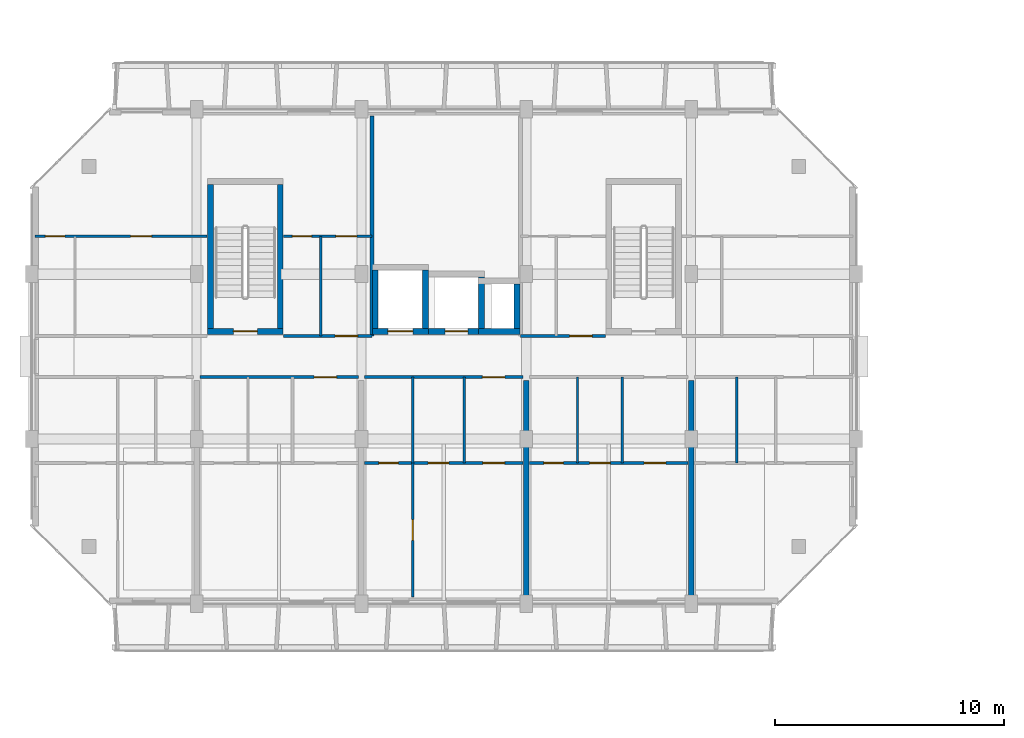
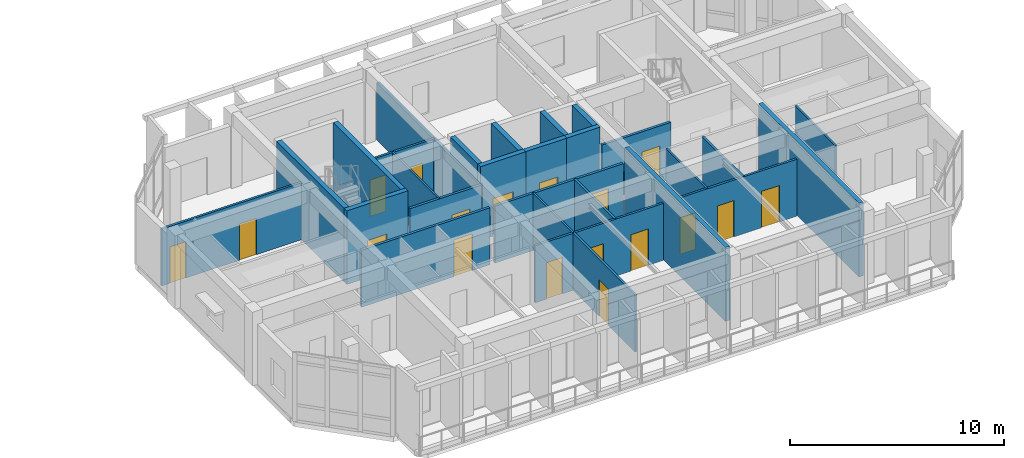
# One storey, part 47 of 85: 28 walls, 18 doors, 18 openings.
"""IFC4 building model written with IfcOpenShell, lengths in metres."""

from ifc_helpers import new_model, si_unit, direction, frame, frame_2d, origin, place, context, subcontext, project, spatial, rectangle, extrude, material, layer, layer_set, type_object, element, fill, save


model = new_model("IFC4")

# Units and contexts
model_context = context("Model", 3, precision=1e-05, world=origin(), true_north=direction((0.0, 1.0)))
body_context = subcontext(model_context, "Body", "Model", "MODEL_VIEW")
ifc_project = project(units=[si_unit("LENGTHUNIT", "METRE"), si_unit("AREAUNIT", "SQUARE_METRE"), si_unit("VOLUMEUNIT", "CUBIC_METRE"), si_unit("PLANEANGLEUNIT", "RADIAN"), si_unit("MASSUNIT", "GRAM", prefix="KILO")], contexts=[model_context])

# Site, building, storey
site_placement = place(None, origin())
site = spatial("IfcSite", under=ifc_project, at=site_placement, CompositionType="ELEMENT")
building_placement = place(site_placement, origin())
building = spatial("IfcBuilding", under=site, at=building_placement, Name="Ochrevale Crest", CompositionType="ELEMENT")
storey_placement = place(building_placement, frame((0.0, 0.0, 4.5)))
storey = spatial("IfcBuildingStorey", under=building, at=storey_placement, Name="L01", CompositionType="ELEMENT", Elevation=4.5)

# Wall, opening, door
ifc_material_1 = material(Name="Gypsum plasterboard", Category="gypsum")
ifc_layer_1 = layer(ifc_material_1, 0.139892578125)
ifc_layer_set_1 = layer_set([ifc_layer_1], Name="Gypsum plasterboard")
wall_type_1 = type_object("IfcWallType", Name="WL-COR-140", PredefinedType="PARTITIONING", material=ifc_layer_set_1)
wall_1_placement = place(storey_placement, frame((7.340087890625, 24.300048828125, 0.0), z_axis=(0.0, 0.0, 1.0), x_axis=(1.0, 0.0, 0.0)))
wall_1 = element("IfcWall", 1, at=wall_1_placement, inside=storey, type_object=wall_type_1, Name="Apartment A-L01-U2 corridor wall", PredefinedType="PARTITIONING", context=body_context, shape_type="SweptSolid", body=[
    extrude(rectangle(XDim=6.919921875, YDim=0.139892578125, at=frame_2d((3.4599609375, 0.0))), origin(), (0.0, 0.0, 1.0), 3.25),
])
opening_1_placement = place(wall_1_placement, frame((4.9951171875, 0.0, 0.0)))
opening_1 = element("IfcOpeningElement", 2, at=opening_1_placement, cuts=wall_1, Name="Opening FD01", PredefinedType="OPENING", context=body_context, shape_type="SweptSolid", body=[
    extrude(rectangle(XDim=0.97998046875, YDim=2.10009765625, at=frame_2d((0.489990234375, 1.050048828125))), frame((0.0, 0.080078125, 0.0), z_axis=(0.0, -1.0, 0.0), x_axis=(1.0, 0.0, 0.0)), (0.0, 0.0, 1.0), 0.159912109375),
])
ifc_material_2 = material(Name="Solid-core FSC hardwood", Category="wood")
door_type_1 = type_object("IfcDoorType", Name="DR-APT-950", OperationType="NOTDEFINED", PredefinedType="DOOR", material=ifc_material_2)
door_1_placement = place(opening_1_placement, origin())
door_1 = element("IfcDoor", 3, at=door_1_placement, inside=storey, type_object=door_type_1, Name="Apartment A-L01-U2 entrance door", OperationType="SINGLE_SWING_LEFT", OverallHeight=2.10009765625, OverallWidth=0.97998046875, PredefinedType="DOOR", context=body_context, shape_type="SweptSolid", body=[
    extrude(rectangle(XDim=0.97998046875, YDim=2.10009765625, at=frame_2d((0.489990234375, 1.050048828125))), frame((0.0, 0.02490234375, 0.0), z_axis=(0.0, -1.0, 0.0), x_axis=(1.0, 0.0, 0.0)), (0.0, 0.0, 1.0), 0.050048828125),
])
fill(opening_1, door_1)

wall_2_placement = place(storey_placement, frame((14.5400390625, 24.300048828125, 0.0), z_axis=(0.0, 0.0, 1.0), x_axis=(1.0, 0.0, 0.0)))
wall_2 = element("IfcWall", 4, at=wall_2_placement, inside=storey, type_object=wall_type_1, Name="Apartment A-L01-U3 corridor wall", PredefinedType="PARTITIONING", context=body_context, shape_type="SweptSolid", body=[
    extrude(rectangle(XDim=6.919921875, YDim=0.139892578125, at=frame_2d((3.4599609375, 0.0))), origin(), (0.0, 0.0, 1.0), 3.25),
])
opening_2_placement = place(wall_2_placement, frame((5.14501953125, 0.0, 0.0)))
opening_2 = element("IfcOpeningElement", 5, at=opening_2_placement, cuts=wall_2, Name="Opening FD01", PredefinedType="OPENING", context=body_context, shape_type="SweptSolid", body=[
    extrude(rectangle(XDim=0.97998046875, YDim=2.10009765625, at=frame_2d((0.489990234375, 1.050048828125))), frame((0.0, 0.080078125, 0.0), z_axis=(0.0, -1.0, 0.0), x_axis=(1.0, 0.0, 0.0)), (0.0, 0.0, 1.0), 0.159912109375),
])
door_2_placement = place(opening_2_placement, origin())
door_2 = element("IfcDoor", 6, at=door_2_placement, inside=storey, type_object=door_type_1, Name="Apartment A-L01-U3 entrance door", OperationType="SINGLE_SWING_LEFT", OverallHeight=2.10009765625, OverallWidth=0.97998046875, PredefinedType="DOOR", context=body_context, shape_type="SweptSolid", body=[
    extrude(rectangle(XDim=0.97998046875, YDim=2.10009765625, at=frame_2d((0.489990234375, 1.050048828125))), frame((0.0, 0.02490234375, 0.0), z_axis=(0.0, -1.0, 0.0), x_axis=(1.0, 0.0, 0.0)), (0.0, 0.0, 1.0), 0.050048828125),
])
fill(opening_2, door_2)

wall_3_placement = place(storey_placement, frame((10.989990234375, 26.10009765625, 0.0), z_axis=(0.0, 0.0, 1.0), x_axis=(1.0, 0.0, 0.0)))
wall_3 = element("IfcWall", 7, at=wall_3_placement, inside=storey, type_object=wall_type_1, Name="Suite A-L01-MW corridor wall", PredefinedType="PARTITIONING", context=body_context, shape_type="SweptSolid", body=[
    extrude(rectangle(XDim=3.8701171875, YDim=0.139892578125, at=frame_2d((1.93505859375, 0.0))), origin(), (0.0, 0.0, 1.0), 3.25),
])
opening_3_placement = place(wall_3_placement, frame((2.2578125, 0.0, 0.0)))
opening_3 = element("IfcOpeningElement", 8, at=opening_3_placement, cuts=wall_3, Name="Opening FD01", PredefinedType="OPENING", context=body_context, shape_type="SweptSolid", body=[
    extrude(rectangle(XDim=0.97998046875, YDim=2.10009765625, at=frame_2d((0.489990234375, 1.050048828125))), frame((0.0, 0.080078125, 0.0), z_axis=(0.0, -1.0, 0.0), x_axis=(1.0, 0.0, 0.0)), (0.0, 0.0, 1.0), 0.159912109375),
])
door_3_placement = place(opening_3_placement, origin())
door_3 = element("IfcDoor", 9, at=door_3_placement, inside=storey, type_object=door_type_1, Name="Suite A-L01-MW entrance door", OperationType="SINGLE_SWING_LEFT", OverallHeight=2.10009765625, OverallWidth=0.97998046875, PredefinedType="DOOR", context=body_context, shape_type="SweptSolid", body=[
    extrude(rectangle(XDim=0.97998046875, YDim=2.10009765625, at=frame_2d((0.489990234375, 1.050048828125))), frame((0.0, 0.02490234375, 0.0), z_axis=(0.0, -1.0, 0.0), x_axis=(1.0, 0.0, 0.0)), (0.0, 0.0, 1.0), 0.050048828125),
])
fill(opening_3, door_3)

wall_4_placement = place(storey_placement, frame((21.340087890625, 26.10009765625, 0.0), z_axis=(0.0, 0.0, 1.0), x_axis=(1.0, 0.0, 0.0)))
wall_4 = element("IfcWall", 10, at=wall_4_placement, inside=storey, type_object=wall_type_1, Name="Suite A-L01-ME corridor wall", PredefinedType="PARTITIONING", context=body_context, shape_type="SweptSolid", body=[
    extrude(rectangle(XDim=3.719970703125, YDim=0.139892578125, at=frame_2d((1.85986328125, 0.0))), origin(), (0.0, 0.0, 1.0), 3.25),
])
opening_4_placement = place(wall_4_placement, frame((3.131103515625, 0.0, 0.0), z_axis=(0.0, 0.0, 1.0), x_axis=(-1.0, 0.0, 0.0)))
opening_4 = element("IfcOpeningElement", 11, at=opening_4_placement, cuts=wall_4, Name="Opening FD01", PredefinedType="OPENING", context=body_context, shape_type="SweptSolid", body=[
    extrude(rectangle(XDim=0.97998046875, YDim=2.10009765625, at=frame_2d((0.489990234375, 1.050048828125))), frame((0.0, 0.080078125, 0.0), z_axis=(0.0, -1.0, 0.0), x_axis=(1.0, 0.0, 0.0)), (0.0, 0.0, 1.0), 0.159912109375),
])
door_4_placement = place(opening_4_placement, origin())
door_4 = element("IfcDoor", 12, at=door_4_placement, inside=storey, type_object=door_type_1, Name="Suite A-L01-ME entrance door", OperationType="SINGLE_SWING_RIGHT", OverallHeight=2.10009765625, OverallWidth=0.97998046875, PredefinedType="DOOR", context=body_context, shape_type="SweptSolid", body=[
    extrude(rectangle(XDim=0.97998046875, YDim=2.10009765625, at=frame_2d((0.489990234375, 1.050048828125))), frame((0.0, 0.02490234375, 0.0), z_axis=(0.0, -1.0, 0.0), x_axis=(1.0, 0.0, 0.0)), (0.0, 0.0, 1.0), 0.050048828125),
])
fill(opening_4, door_4)

ifc_material_3 = material(Name="Precast concrete C50/60", Category="concrete")
ifc_layer_2 = layer(ifc_material_3, 0.2548828125)
ifc_layer_set_2 = layer_set([ifc_layer_2], Name="Precast concrete C50/60")
wall_type_2 = type_object("IfcWallType", Name="WL-CORE-255", PredefinedType="SHEAR", material=ifc_layer_set_2)
wall_5_placement = place(storey_placement, frame((7.672607421875, 26.300048828125, 0.0), z_axis=(0.0, 0.0, 1.0), x_axis=(1.0, 0.0, 0.0)))
wall_5 = element("IfcWall", 13, at=wall_5_placement, inside=storey, type_object=wall_type_2, Name="Block A L01 Stair 1 precast core shear wall S", PredefinedType="SHEAR", context=body_context, shape_type="SweptSolid", body=[
    extrude(rectangle(XDim=3.304931640625, YDim=0.2548828125, at=frame_2d((1.65234375, 0.0))), origin(), (0.0, 0.0, 1.0), 4.199951171875),
])
opening_5_placement = place(wall_5_placement, frame((2.177490234375, 0.0, 0.0), z_axis=(0.0, 0.0, 1.0), x_axis=(-1.0, 0.0, 0.0)))
opening_5 = element("IfcOpeningElement", 14, at=opening_5_placement, cuts=wall_5, Name="Opening FD03", PredefinedType="OPENING", context=body_context, shape_type="SweptSolid", body=[
    extrude(rectangle(XDim=1.050048828125, YDim=2.1201171875, at=frame_2d((0.52490234375, 1.06005859375))), frame((0.0, 0.137451171875, 0.0), z_axis=(0.0, -1.0, 0.0), x_axis=(1.0, 0.0, 0.0)), (0.0, 0.0, 1.0), 0.27490234375),
])
door_type_2 = type_object("IfcDoorType", Name="DR-ST-1050", OperationType="NOTDEFINED", PredefinedType="DOOR", material=ifc_material_2)
door_5_placement = place(opening_5_placement, origin())
door_5 = element("IfcDoor", 15, at=door_5_placement, inside=storey, type_object=door_type_2, Name="Block A L01 fire stair 1 door", OperationType="SINGLE_SWING_RIGHT", OverallHeight=2.1201171875, OverallWidth=1.050048828125, PredefinedType="DOOR", context=body_context, shape_type="SweptSolid", body=[
    extrude(rectangle(XDim=1.050048828125, YDim=2.1201171875, at=frame_2d((0.52490234375, 1.06005859375))), frame((0.0, 0.02490234375, 0.0), z_axis=(0.0, -1.0, 0.0), x_axis=(1.0, 0.0, 0.0)), (0.0, 0.0, 1.0), 0.050048828125),
])
fill(opening_5, door_5)

# Walls
for number, where, z_axis, x_axis, name in (
    (16, (7.800048828125, 26.427490234375, 0.0), (0.0, 0.0, 1.0), (0.0, 1.0, 0.0), "Block A L01 Stair 1 precast core shear wall W"),
    (17, (10.85009765625, 26.427490234375, 0.0), (0.0, 0.0, 1.0), (0.0, 1.0, 0.0), "Block A L01 Stair 1 precast core shear wall E"),
):
    element("IfcWall", number, at=place(storey_placement, frame(where, z_axis=z_axis, x_axis=x_axis)), inside=storey, type_object=wall_type_2, Name=name, PredefinedType="SHEAR", context=body_context, shape_type="SweptSolid", body=[
        extrude(rectangle(XDim=6.294921875, YDim=0.2548828125, at=frame_2d((3.1474609375, 0.0))), origin(), (0.0, 0.0, 1.0), 4.199951171875),
    ])

# Wall, opening, door
wall_6_placement = place(storey_placement, frame((14.87255859375, 26.300048828125, 0.0), z_axis=(0.0, 0.0, 1.0), x_axis=(1.0, 0.0, 0.0)))
wall_6 = element("IfcWall", 18, at=wall_6_placement, inside=storey, type_object=wall_type_2, Name="Block A L01 Lift 1 precast shaft shear wall S", PredefinedType="SHEAR", context=body_context, shape_type="SweptSolid", body=[
    extrude(rectangle(XDim=2.454833984375, YDim=0.2548828125, at=frame_2d((1.2275390625, 0.0))), origin(), (0.0, 0.0, 1.0), 4.199951171875),
])
opening_6_placement = place(wall_6_placement, frame((0.677490234375, 0.0, 0.0)))
opening_6 = element("IfcOpeningElement", 19, at=opening_6_placement, cuts=wall_6, Name="Opening LD01", PredefinedType="OPENING", context=body_context, shape_type="SweptSolid", body=[
    extrude(rectangle(XDim=1.10009765625, YDim=2.14990234375, at=frame_2d((0.550048828125, 1.074951171875))), frame((0.0, 0.137451171875, 0.0), z_axis=(0.0, -1.0, 0.0), x_axis=(1.0, 0.0, 0.0)), (0.0, 0.0, 1.0), 0.27490234375),
])
door_type_3 = type_object("IfcDoorType", Name="DR-LIFT-1100", OperationType="NOTDEFINED", PredefinedType="DOOR", material=ifc_material_2)
door_6_placement = place(opening_6_placement, origin())
door_6 = element("IfcDoor", 20, at=door_6_placement, inside=storey, type_object=door_type_3, Name="Lift LF-A1 L01 sliding landing door", OperationType="SLIDING_TO_LEFT", OverallHeight=2.14990234375, OverallWidth=1.10009765625, PredefinedType="DOOR", context=body_context, shape_type="SweptSolid", body=[
    extrude(rectangle(XDim=1.10009765625, YDim=2.14990234375, at=frame_2d((0.550048828125, 1.074951171875))), frame((0.0, 0.02490234375, 0.0), z_axis=(0.0, -1.0, 0.0), x_axis=(1.0, 0.0, 0.0)), (0.0, 0.0, 1.0), 0.050048828125),
])
fill(opening_6, door_6)

# Walls
for number, where, z_axis, x_axis, name in (
    (21, (15.0, 26.427490234375, 0.0), (0.0, 0.0, 1.0), (0.0, 1.0, 0.0), "Block A L01 Lift 1 precast shaft shear wall W"),
    (22, (17.199951171875, 26.427490234375, 0.0), (0.0, 0.0, 1.0), (0.0, 1.0, 0.0), "Block A L01 Lift 1 precast shaft shear wall E"),
):
    element("IfcWall", number, at=place(storey_placement, frame(where, z_axis=z_axis, x_axis=x_axis)), inside=storey, type_object=wall_type_2, Name=name, PredefinedType="SHEAR", context=body_context, shape_type="SweptSolid", body=[
        extrude(rectangle(XDim=2.544921875, YDim=0.2548828125, at=frame_2d((1.2724609375, 0.0))), origin(), (0.0, 0.0, 1.0), 4.199951171875),
    ])

# Wall, opening, door
wall_7_placement = place(storey_placement, frame((17.322509765625, 26.300048828125, 0.0), z_axis=(0.0, 0.0, 1.0), x_axis=(1.0, 0.0, 0.0)))
wall_7 = element("IfcWall", 23, at=wall_7_placement, inside=storey, type_object=wall_type_2, Name="Block A L01 Lift 2 precast shaft shear wall S", PredefinedType="SHEAR", context=body_context, shape_type="SweptSolid", body=[
    extrude(rectangle(XDim=2.455078125, YDim=0.2548828125, at=frame_2d((1.2275390625, 0.0))), origin(), (0.0, 0.0, 1.0), 4.199951171875),
])
opening_7_placement = place(wall_7_placement, frame((0.7275390625, 0.0, 0.0)))
opening_7 = element("IfcOpeningElement", 24, at=opening_7_placement, cuts=wall_7, Name="Opening LD02", PredefinedType="OPENING", context=body_context, shape_type="SweptSolid", body=[
    extrude(rectangle(XDim=1.0, YDim=2.14990234375, at=frame_2d((0.5, 1.074951171875))), frame((0.0, 0.137451171875, 0.0), z_axis=(0.0, -1.0, 0.0), x_axis=(1.0, 0.0, 0.0)), (0.0, 0.0, 1.0), 0.27490234375),
])
door_type_4 = type_object("IfcDoorType", Name="DR-LIFT-1000", OperationType="NOTDEFINED", PredefinedType="DOOR", material=ifc_material_2)
door_7_placement = place(opening_7_placement, origin())
door_7 = element("IfcDoor", 25, at=door_7_placement, inside=storey, type_object=door_type_4, Name="Lift LP-A2 L01 sliding landing door", OperationType="SLIDING_TO_RIGHT", OverallHeight=2.14990234375, OverallWidth=1.0, PredefinedType="DOOR", context=body_context, shape_type="SweptSolid", body=[
    extrude(rectangle(XDim=1.0, YDim=2.14990234375, at=frame_2d((0.5, 1.074951171875))), frame((0.0, 0.02490234375, 0.0), z_axis=(0.0, -1.0, 0.0), x_axis=(1.0, 0.0, 0.0)), (0.0, 0.0, 1.0), 0.050048828125),
])
fill(opening_7, door_7)

# Walls
wall_8_placement = place(storey_placement, frame((19.64990234375, 26.427490234375, 0.0), z_axis=(0.0, 0.0, 1.0), x_axis=(0.0, 1.0, 0.0)))
element("IfcWall", 26, at=wall_8_placement, inside=storey, type_object=wall_type_2, Name="Block A L01 Lift 2 precast shaft shear wall E", PredefinedType="SHEAR", context=body_context, shape_type="SweptSolid", body=[
    extrude(rectangle(XDim=2.2451171875, YDim=0.2548828125, at=frame_2d((1.12255859375, 0.0))), origin(), (0.0, 0.0, 1.0), 4.199951171875),
])
wall_9_placement = place(storey_placement, frame((19.5224609375, 26.300048828125, 0.0), z_axis=(0.0, 0.0, 1.0), x_axis=(1.0, 0.0, 0.0)))
element("IfcWall", 27, at=wall_9_placement, inside=storey, type_object=wall_type_2, Name="Block A L01 services riser shaft core wall S", PredefinedType="SHEAR", context=body_context, shape_type="SweptSolid", body=[
    extrude(rectangle(XDim=1.804931640625, YDim=0.2548828125, at=frame_2d((0.90234375, 0.0))), origin(), (0.0, 0.0, 1.0), 4.199951171875),
])
wall_10_placement = place(storey_placement, frame((21.199951171875, 26.427490234375, 0.0), z_axis=(0.0, 0.0, 1.0), x_axis=(0.0, 1.0, 0.0)))
element("IfcWall", 28, at=wall_10_placement, inside=storey, type_object=wall_type_2, Name="Block A L01 services riser shaft core wall E", PredefinedType="SHEAR", context=body_context, shape_type="SweptSolid", body=[
    extrude(rectangle(XDim=1.945068359375, YDim=0.2548828125, at=frame_2d((0.97265625, 0.0))), origin(), (0.0, 0.0, 1.0), 4.199951171875),
])
ifc_layer_3 = layer(ifc_material_1, 0.1201171875)
ifc_layer_set_3 = layer_set([ifc_layer_3], Name="Gypsum plasterboard")
wall_type_3 = type_object("IfcWallType", Name="WL-PART-120", PredefinedType="PARTITIONING", material=ifc_layer_set_3)
wall_11_placement = place(storey_placement, frame((18.889892578125, 20.550048828125, 0.0), z_axis=(0.0, 0.0, 1.0), x_axis=(0.0, 1.0, 0.0)))
element("IfcWall", 29, at=wall_11_placement, inside=storey, type_object=wall_type_3, Name="Apartment A-L01-U3 kitchen-foyer wall", PredefinedType="PARTITIONING", context=body_context, shape_type="SweptSolid", body=[
    extrude(rectangle(XDim=3.75, YDim=0.1201171875, at=frame_2d((1.875, 0.0))), origin(), (0.0, 0.0, 1.0), 3.25),
])

# Wall, openings, doors
wall_12_placement = place(storey_placement, frame((14.5400390625, 20.550048828125, 0.0), z_axis=(0.0, 0.0, 1.0), x_axis=(1.0, 0.0, 0.0)))
wall_12 = element("IfcWall", 30, at=wall_12_placement, inside=storey, type_object=wall_type_3, Name="Apartment A-L01-U3 central partition", PredefinedType="PARTITIONING", context=body_context, shape_type="SweptSolid", body=[
    extrude(rectangle(XDim=6.919921875, YDim=0.1201171875, at=frame_2d((3.4599609375, 0.0))), origin(), (0.0, 0.0, 1.0), 3.25),
])
opening_8_placement = place(wall_12_placement, frame((1.47509765625, 0.0, 0.0), z_axis=(0.0, 0.0, 1.0), x_axis=(-1.0, 0.0, 0.0)))
opening_8 = element("IfcOpeningElement", 31, at=opening_8_placement, cuts=wall_12, Name="Opening ID01", PredefinedType="OPENING", context=body_context, shape_type="SweptSolid", body=[
    extrude(rectangle(XDim=0.85009765625, YDim=2.080078125, at=frame_2d((0.425048828125, 1.0400390625))), frame((0.0, 0.070068359375, 0.0), z_axis=(0.0, -1.0, 0.0), x_axis=(1.0, 0.0, 0.0)), (0.0, 0.0, 1.0), 0.14013671875),
])
opening_9_placement = place(wall_12_placement, frame((2.77490234375, 0.0, 0.0)))
opening_9 = element("IfcOpeningElement", 32, at=opening_9_placement, cuts=wall_12, Name="Opening ID02", PredefinedType="OPENING", context=body_context, shape_type="SweptSolid", body=[
    extrude(rectangle(XDim=0.89990234375, YDim=2.080078125, at=frame_2d((0.449951171875, 1.0400390625))), frame((0.0, 0.070068359375, 0.0), z_axis=(0.0, -1.0, 0.0), x_axis=(1.0, 0.0, 0.0)), (0.0, 0.0, 1.0), 0.14013671875),
])
opening_10_placement = place(wall_12_placement, frame((6.10986328125, 0.0, 0.0), z_axis=(0.0, 0.0, 1.0), x_axis=(-1.0, 0.0, 0.0)))
opening_10 = element("IfcOpeningElement", 33, at=opening_10_placement, cuts=wall_12, Name="Opening ID06", PredefinedType="OPENING", context=body_context, shape_type="SweptSolid", body=[
    extrude(rectangle(XDim=0.949951171875, YDim=2.080078125, at=frame_2d((0.47509765625, 1.0400390625))), frame((0.0, 0.070068359375, 0.0), z_axis=(0.0, -1.0, 0.0), x_axis=(1.0, 0.0, 0.0)), (0.0, 0.0, 1.0), 0.14013671875),
])
door_type_5 = type_object("IfcDoorType", Name="DR-INT-900", OperationType="NOTDEFINED", PredefinedType="DOOR", material=ifc_material_2)
door_8_placement = place(opening_9_placement, origin())
door_8 = element("IfcDoor", 34, at=door_8_placement, inside=storey, type_object=door_type_5, Name="Apartment A-L01-U3 Kitchen door", OperationType="SINGLE_SWING_LEFT", OverallHeight=2.080078125, OverallWidth=0.89990234375, PredefinedType="DOOR", context=body_context, shape_type="SweptSolid", body=[
    extrude(rectangle(XDim=0.89990234375, YDim=2.080078125, at=frame_2d((0.449951171875, 1.0400390625))), frame((0.0, 0.02490234375, 0.0), z_axis=(0.0, -1.0, 0.0), x_axis=(1.0, 0.0, 0.0)), (0.0, 0.0, 1.0), 0.050048828125),
])
fill(opening_9, door_8)
door_type_6 = type_object("IfcDoorType", Name="DR-INT-950", OperationType="NOTDEFINED", PredefinedType="DOOR", material=ifc_material_2)
door_9_placement = place(opening_10_placement, origin())
door_9 = element("IfcDoor", 35, at=door_9_placement, inside=storey, type_object=door_type_6, Name="Apartment A-L01-U3 Living Foyer door", OperationType="SINGLE_SWING_RIGHT", OverallHeight=2.080078125, OverallWidth=0.949951171875, PredefinedType="DOOR", context=body_context, shape_type="SweptSolid", body=[
    extrude(rectangle(XDim=0.949951171875, YDim=2.080078125, at=frame_2d((0.47509765625, 1.0400390625))), frame((0.0, 0.02490234375, 0.0), z_axis=(0.0, -1.0, 0.0), x_axis=(1.0, 0.0, 0.0)), (0.0, 0.0, 1.0), 0.050048828125),
])
fill(opening_10, door_9)
door_type_7 = type_object("IfcDoorType", Name="DR-WC-850", OperationType="NOTDEFINED", PredefinedType="DOOR", material=ifc_material_2)
door_10_placement = place(opening_8_placement, origin())
door_10 = element("IfcDoor", 36, at=door_10_placement, inside=storey, type_object=door_type_7, Name="Apartment A-L01-U3 Bathroom door", OperationType="SINGLE_SWING_RIGHT", OverallHeight=2.080078125, OverallWidth=0.85009765625, PredefinedType="DOOR", context=body_context, shape_type="SweptSolid", body=[
    extrude(rectangle(XDim=0.85009765625, YDim=2.080078125, at=frame_2d((0.425048828125, 1.0400390625))), frame((0.0, 0.02490234375, 0.0), z_axis=(0.0, -1.0, 0.0), x_axis=(1.0, 0.0, 0.0)), (0.0, 0.0, 1.0), 0.050048828125),
])
fill(opening_8, door_10)

# Wall, opening, door
wall_13_placement = place(storey_placement, frame((16.639892578125, 14.699951171875, 0.0), z_axis=(0.0, 0.0, 1.0), x_axis=(0.0, 1.0, 0.0)))
wall_13 = element("IfcWall", 37, at=wall_13_placement, inside=storey, type_object=wall_type_3, Name="Apartment A-L01-U3 bedroom partition", PredefinedType="PARTITIONING", context=body_context, shape_type="SweptSolid", body=[
    extrude(rectangle(XDim=5.85009765625, YDim=0.1201171875, at=frame_2d((2.925048828125, 0.0))), origin(), (0.0, 0.0, 1.0), 3.25),
])
opening_11_placement = place(wall_13_placement, frame((2.47509765625, 0.0, 0.0)))
opening_11 = element("IfcOpeningElement", 38, at=opening_11_placement, cuts=wall_13, Name="Opening ID02", PredefinedType="OPENING", context=body_context, shape_type="SweptSolid", body=[
    extrude(rectangle(XDim=0.89990234375, YDim=2.080078125, at=frame_2d((0.449951171875, 1.0400390625))), frame((0.0, 0.070068359375, 0.0), z_axis=(0.0, -1.0, 0.0), x_axis=(1.0, 0.0, 0.0)), (0.0, 0.0, 1.0), 0.14013671875),
])
door_11_placement = place(opening_11_placement, origin())
door_11 = element("IfcDoor", 39, at=door_11_placement, inside=storey, type_object=door_type_5, Name="Apartment A-L01-U3 Master Bedroom door", OperationType="SINGLE_SWING_LEFT", OverallHeight=2.080078125, OverallWidth=0.89990234375, PredefinedType="DOOR", context=body_context, shape_type="SweptSolid", body=[
    extrude(rectangle(XDim=0.89990234375, YDim=2.080078125, at=frame_2d((0.449951171875, 1.0400390625))), frame((0.0, 0.02490234375, 0.0), z_axis=(0.0, -1.0, 0.0), x_axis=(1.0, 0.0, 0.0)), (0.0, 0.0, 1.0), 0.050048828125),
])
fill(opening_11, door_11)

# Wall
wall_14_placement = place(storey_placement, frame((25.7900390625, 20.550048828125, 0.0), z_axis=(0.0, 0.0, 1.0), x_axis=(0.0, 1.0, 0.0)))
element("IfcWall", 40, at=wall_14_placement, inside=storey, type_object=wall_type_3, Name="Apartment A-L01-U4 kitchen-foyer wall", PredefinedType="PARTITIONING", context=body_context, shape_type="SweptSolid", body=[
    extrude(rectangle(XDim=3.75, YDim=0.1201171875, at=frame_2d((1.875, 0.0))), origin(), (0.0, 0.0, 1.0), 3.25),
])

# Wall, openings, doors
wall_15_placement = place(storey_placement, frame((21.739990234375, 20.550048828125, 0.0), z_axis=(0.0, 0.0, 1.0), x_axis=(1.0, 0.0, 0.0)))
wall_15 = element("IfcWall", 41, at=wall_15_placement, inside=storey, type_object=wall_type_3, Name="Apartment A-L01-U4 central partition", PredefinedType="PARTITIONING", context=body_context, shape_type="SweptSolid", body=[
    extrude(rectangle(XDim=6.919921875, YDim=0.1201171875, at=frame_2d((3.4599609375, 0.0))), origin(), (0.0, 0.0, 1.0), 3.25),
])
opening_12_placement = place(wall_15_placement, frame((0.625, 0.0, 0.0)))
opening_12 = element("IfcOpeningElement", 42, at=opening_12_placement, cuts=wall_15, Name="Opening ID01", PredefinedType="OPENING", context=body_context, shape_type="SweptSolid", body=[
    extrude(rectangle(XDim=0.85009765625, YDim=2.080078125, at=frame_2d((0.425048828125, 1.0400390625))), frame((0.0, 0.070068359375, 0.0), z_axis=(0.0, -1.0, 0.0), x_axis=(1.0, 0.0, 0.0)), (0.0, 0.0, 1.0), 0.14013671875),
])
opening_13_placement = place(wall_15_placement, frame((3.52490234375, 0.0, 0.0), z_axis=(0.0, 0.0, 1.0), x_axis=(-1.0, 0.0, 0.0)))
opening_13 = element("IfcOpeningElement", 43, at=opening_13_placement, cuts=wall_15, Name="Opening ID02", PredefinedType="OPENING", context=body_context, shape_type="SweptSolid", body=[
    extrude(rectangle(XDim=0.89990234375, YDim=2.080078125, at=frame_2d((0.449951171875, 1.0400390625))), frame((0.0, 0.070068359375, 0.0), z_axis=(0.0, -1.0, 0.0), x_axis=(1.0, 0.0, 0.0)), (0.0, 0.0, 1.0), 0.14013671875),
])
opening_14_placement = place(wall_15_placement, frame((5.010009765625, 0.0, 0.0)))
opening_14 = element("IfcOpeningElement", 44, at=opening_14_placement, cuts=wall_15, Name="Opening ID06", PredefinedType="OPENING", context=body_context, shape_type="SweptSolid", body=[
    extrude(rectangle(XDim=0.949951171875, YDim=2.080078125, at=frame_2d((0.47509765625, 1.0400390625))), frame((0.0, 0.070068359375, 0.0), z_axis=(0.0, -1.0, 0.0), x_axis=(1.0, 0.0, 0.0)), (0.0, 0.0, 1.0), 0.14013671875),
])
door_12_placement = place(opening_13_placement, origin())
door_12 = element("IfcDoor", 45, at=door_12_placement, inside=storey, type_object=door_type_5, Name="Apartment A-L01-U4 Kitchen door", OperationType="SINGLE_SWING_RIGHT", OverallHeight=2.080078125, OverallWidth=0.89990234375, PredefinedType="DOOR", context=body_context, shape_type="SweptSolid", body=[
    extrude(rectangle(XDim=0.89990234375, YDim=2.080078125, at=frame_2d((0.449951171875, 1.0400390625))), frame((0.0, 0.02490234375, 0.0), z_axis=(0.0, -1.0, 0.0), x_axis=(1.0, 0.0, 0.0)), (0.0, 0.0, 1.0), 0.050048828125),
])
fill(opening_13, door_12)
door_13_placement = place(opening_14_placement, origin())
door_13 = element("IfcDoor", 46, at=door_13_placement, inside=storey, type_object=door_type_6, Name="Apartment A-L01-U4 Living Foyer door", OperationType="SINGLE_SWING_LEFT", OverallHeight=2.080078125, OverallWidth=0.949951171875, PredefinedType="DOOR", context=body_context, shape_type="SweptSolid", body=[
    extrude(rectangle(XDim=0.949951171875, YDim=2.080078125, at=frame_2d((0.47509765625, 1.0400390625))), frame((0.0, 0.02490234375, 0.0), z_axis=(0.0, -1.0, 0.0), x_axis=(1.0, 0.0, 0.0)), (0.0, 0.0, 1.0), 0.050048828125),
])
fill(opening_14, door_13)
door_14_placement = place(opening_12_placement, origin())
door_14 = element("IfcDoor", 47, at=door_14_placement, inside=storey, type_object=door_type_7, Name="Apartment A-L01-U4 Bathroom door", OperationType="SINGLE_SWING_LEFT", OverallHeight=2.080078125, OverallWidth=0.85009765625, PredefinedType="DOOR", context=body_context, shape_type="SweptSolid", body=[
    extrude(rectangle(XDim=0.85009765625, YDim=2.080078125, at=frame_2d((0.425048828125, 1.0400390625))), frame((0.0, 0.02490234375, 0.0), z_axis=(0.0, -1.0, 0.0), x_axis=(1.0, 0.0, 0.0)), (0.0, 0.0, 1.0), 0.050048828125),
])
fill(opening_12, door_14)

wall_16_placement = place(storey_placement, frame((0.139892578125, 30.449951171875, 0.0), z_axis=(0.0, 0.0, 1.0), x_axis=(1.0, 0.0, 0.0)))
wall_16 = element("IfcWall", 48, at=wall_16_placement, inside=storey, type_object=wall_type_3, Name="Suite A-L01-CW internal wall", PredefinedType="PARTITIONING", context=body_context, shape_type="SweptSolid", body=[
    extrude(rectangle(XDim=7.52001953125, YDim=0.1201171875, at=frame_2d((3.760009765625, 0.0))), origin(), (0.0, 0.0, 1.0), 3.25),
])
opening_15_placement = place(wall_16_placement, frame((0.449951171875, 0.0, 0.0)))
opening_15 = element("IfcOpeningElement", 49, at=opening_15_placement, cuts=wall_16, Name="Opening ID01", PredefinedType="OPENING", context=body_context, shape_type="SweptSolid", body=[
    extrude(rectangle(XDim=0.85009765625, YDim=2.080078125, at=frame_2d((0.425048828125, 1.0400390625))), frame((0.0, 0.070068359375, 0.0), z_axis=(0.0, -1.0, 0.0), x_axis=(1.0, 0.0, 0.0)), (0.0, 0.0, 1.0), 0.14013671875),
])
opening_16_placement = place(wall_16_placement, frame((5.094970703125, 0.0, 0.0), z_axis=(0.0, 0.0, 1.0), x_axis=(-1.0, 0.0, 0.0)))
opening_16 = element("IfcOpeningElement", 50, at=opening_16_placement, cuts=wall_16, Name="Opening ID04", PredefinedType="OPENING", context=body_context, shape_type="SweptSolid", body=[
    extrude(rectangle(XDim=0.919921875, YDim=2.080078125, at=frame_2d((0.4599609375, 1.0400390625))), frame((0.0, 0.070068359375, 0.0), z_axis=(0.0, -1.0, 0.0), x_axis=(1.0, 0.0, 0.0)), (0.0, 0.0, 1.0), 0.14013671875),
])
door_type_8 = type_object("IfcDoorType", Name="DR-INT-920", OperationType="NOTDEFINED", PredefinedType="DOOR", material=ifc_material_2)
door_15_placement = place(opening_16_placement, origin())
door_15 = element("IfcDoor", 51, at=door_15_placement, inside=storey, type_object=door_type_8, Name="Suite A-L01-CW Garden Alcove Studio door", OperationType="SINGLE_SWING_RIGHT", OverallHeight=2.080078125, OverallWidth=0.919921875, PredefinedType="DOOR", context=body_context, shape_type="SweptSolid", body=[
    extrude(rectangle(XDim=0.919921875, YDim=2.080078125, at=frame_2d((0.4599609375, 1.0400390625))), frame((0.0, 0.02490234375, 0.0), z_axis=(0.0, -1.0, 0.0), x_axis=(1.0, 0.0, 0.0)), (0.0, 0.0, 1.0), 0.050048828125),
])
fill(opening_16, door_15)
door_16_placement = place(opening_15_placement, origin())
door_16 = element("IfcDoor", 52, at=door_16_placement, inside=storey, type_object=door_type_7, Name="Suite A-L01-CW Bathroom door", OperationType="SINGLE_SWING_LEFT", OverallHeight=2.080078125, OverallWidth=0.85009765625, PredefinedType="DOOR", context=body_context, shape_type="SweptSolid", body=[
    extrude(rectangle(XDim=0.85009765625, YDim=2.080078125, at=frame_2d((0.425048828125, 1.0400390625))), frame((0.0, 0.02490234375, 0.0), z_axis=(0.0, -1.0, 0.0), x_axis=(1.0, 0.0, 0.0)), (0.0, 0.0, 1.0), 0.050048828125),
])
fill(opening_15, door_16)

wall_17_placement = place(storey_placement, frame((10.989990234375, 30.449951171875, 0.0), z_axis=(0.0, 0.0, 1.0), x_axis=(1.0, 0.0, 0.0)))
wall_17 = element("IfcWall", 53, at=wall_17_placement, inside=storey, type_object=wall_type_3, Name="Suite A-L01-MW internal wall", PredefinedType="PARTITIONING", context=body_context, shape_type="SweptSolid", body=[
    extrude(rectangle(XDim=3.8701171875, YDim=0.1201171875, at=frame_2d((1.93505859375, 0.0))), origin(), (0.0, 0.0, 1.0), 3.25),
])
opening_17_placement = place(wall_17_placement, frame((1.23779296875, 0.0, 0.0), z_axis=(0.0, 0.0, 1.0), x_axis=(-1.0, 0.0, 0.0)))
opening_17 = element("IfcOpeningElement", 54, at=opening_17_placement, cuts=wall_17, Name="Opening ID01", PredefinedType="OPENING", context=body_context, shape_type="SweptSolid", body=[
    extrude(rectangle(XDim=0.85009765625, YDim=2.080078125, at=frame_2d((0.425048828125, 1.0400390625))), frame((0.0, 0.070068359375, 0.0), z_axis=(0.0, -1.0, 0.0), x_axis=(1.0, 0.0, 0.0)), (0.0, 0.0, 1.0), 0.14013671875),
])
opening_18_placement = place(wall_17_placement, frame((2.28759765625, 0.0, 0.0)))
opening_18 = element("IfcOpeningElement", 55, at=opening_18_placement, cuts=wall_17, Name="Opening ID04", PredefinedType="OPENING", context=body_context, shape_type="SweptSolid", body=[
    extrude(rectangle(XDim=0.919921875, YDim=2.080078125, at=frame_2d((0.4599609375, 1.0400390625))), frame((0.0, 0.070068359375, 0.0), z_axis=(0.0, -1.0, 0.0), x_axis=(1.0, 0.0, 0.0)), (0.0, 0.0, 1.0), 0.14013671875),
])
door_17_placement = place(opening_18_placement, origin())
door_17 = element("IfcDoor", 56, at=door_17_placement, inside=storey, type_object=door_type_8, Name="Suite A-L01-MW Courtyard Studio Living door", OperationType="SINGLE_SWING_LEFT", OverallHeight=2.080078125, OverallWidth=0.919921875, PredefinedType="DOOR", context=body_context, shape_type="SweptSolid", body=[
    extrude(rectangle(XDim=0.919921875, YDim=2.080078125, at=frame_2d((0.4599609375, 1.0400390625))), frame((0.0, 0.02490234375, 0.0), z_axis=(0.0, -1.0, 0.0), x_axis=(1.0, 0.0, 0.0)), (0.0, 0.0, 1.0), 0.050048828125),
])
fill(opening_18, door_17)
door_18_placement = place(opening_17_placement, origin())
door_18 = element("IfcDoor", 57, at=door_18_placement, inside=storey, type_object=door_type_7, Name="Suite A-L01-MW Bathroom door", OperationType="SINGLE_SWING_RIGHT", OverallHeight=2.080078125, OverallWidth=0.85009765625, PredefinedType="DOOR", context=body_context, shape_type="SweptSolid", body=[
    extrude(rectangle(XDim=0.85009765625, YDim=2.080078125, at=frame_2d((0.425048828125, 1.0400390625))), frame((0.0, 0.02490234375, 0.0), z_axis=(0.0, -1.0, 0.0), x_axis=(1.0, 0.0, 0.0)), (0.0, 0.0, 1.0), 0.050048828125),
])
fill(opening_17, door_18)

# Walls
ifc_layer_4 = layer(ifc_material_3, 0.239990234375)
ifc_layer_set_4 = layer_set([ifc_layer_4], Name="Precast concrete C50/60")
wall_type_4 = type_object("IfcWallType", Name="WL-SHEAR-240", PredefinedType="SHEAR", material=ifc_layer_set_4)
for number, where, z_axis, x_axis, name in (
    (58, (21.60009765625, 14.75, 0.0), (0.0, 0.0, 1.0), (0.0, 1.0, 0.0), "Block A L01 load-bearing precast cross-wall X=21.6"),
    (59, (28.800048828125, 14.75, 0.0), (0.0, 0.0, 1.0), (0.0, 1.0, 0.0), "Block A L01 load-bearing precast cross-wall X=28.8"),
):
    element("IfcWall", number, at=place(storey_placement, frame(where, z_axis=z_axis, x_axis=x_axis)), inside=storey, type_object=wall_type_4, Name=name, PredefinedType="SHEAR", context=body_context, shape_type="SweptSolid", body=[
        extrude(rectangle(XDim=9.39990234375, YDim=0.239990234375, at=frame_2d((4.699951171875, 0.0))), origin(), (0.0, 0.0, 1.0), 4.199951171875),
    ])
ifc_layer_5 = layer(ifc_material_1, 0.169921875)
ifc_layer_set_5 = layer_set([ifc_layer_5], Name="Gypsum plasterboard")
wall_type_5 = type_object("IfcWallType", Name="WL-TEN-170", PredefinedType="PARTITIONING", material=ifc_layer_set_5)
wall_18_placement = place(storey_placement, frame((14.860107421875, 26.10009765625, 0.0), z_axis=(0.0, 0.0, 1.0), x_axis=(0.0, 1.0, 0.0)))
element("IfcWall", 60, at=wall_18_placement, inside=storey, type_object=wall_type_5, Name="Suite A-L01-MW east party wall", PredefinedType="PARTITIONING", context=body_context, shape_type="SweptSolid", body=[
    extrude(rectangle(XDim=9.599853515625, YDim=0.169921875, at=frame_2d((4.7998046875, 0.0))), origin(), (0.0, 0.0, 1.0), 3.25),
])
ifc_layer_6 = layer(ifc_material_1, 0.10009765625)
ifc_layer_set_6 = layer_set([ifc_layer_6], Name="Gypsum plasterboard")
wall_type_6 = type_object("IfcWallType", Name="WL-WET-100", PredefinedType="PARTITIONING", material=ifc_layer_set_6)
for number, where, z_axis, x_axis, name in (
    (61, (16.639892578125, 20.550048828125, 0.0), (0.0, 0.0, 1.0), (0.0, 1.0, 0.0), "Apartment A-L01-U3 bath-kitchen wall"),
    (62, (23.840087890625, 20.550048828125, 0.0), (0.0, 0.0, 1.0), (0.0, 1.0, 0.0), "Apartment A-L01-U4 bath-kitchen wall"),
    (63, (30.7900390625, 20.550048828125, 0.0), (0.0, 0.0, 1.0), (0.0, 1.0, 0.0), "Apartment A-L01-U5 bath-kitchen wall"),
):
    element("IfcWall", number, at=place(storey_placement, frame(where, z_axis=z_axis, x_axis=x_axis)), inside=storey, type_object=wall_type_6, Name=name, PredefinedType="PARTITIONING", context=body_context, shape_type="SweptSolid", body=[
        extrude(rectangle(XDim=3.75, YDim=0.10009765625, at=frame_2d((1.875, 0.0))), origin(), (0.0, 0.0, 1.0), 3.25),
    ])
wall_19_placement = place(storey_placement, frame((12.615478515625, 26.10009765625, 0.0), z_axis=(0.0, 0.0, 1.0), x_axis=(0.0, 1.0, 0.0)))
element("IfcWall", 64, at=wall_19_placement, inside=storey, type_object=wall_type_6, Name="Suite A-L01-MW bathroom divider", PredefinedType="PARTITIONING", context=body_context, shape_type="SweptSolid", body=[
    extrude(rectangle(XDim=4.349853515625, YDim=0.10009765625, at=frame_2d((2.1748046875, 0.0))), origin(), (0.0, 0.0, 1.0), 3.25),
])

save(model, "model.ifc")
